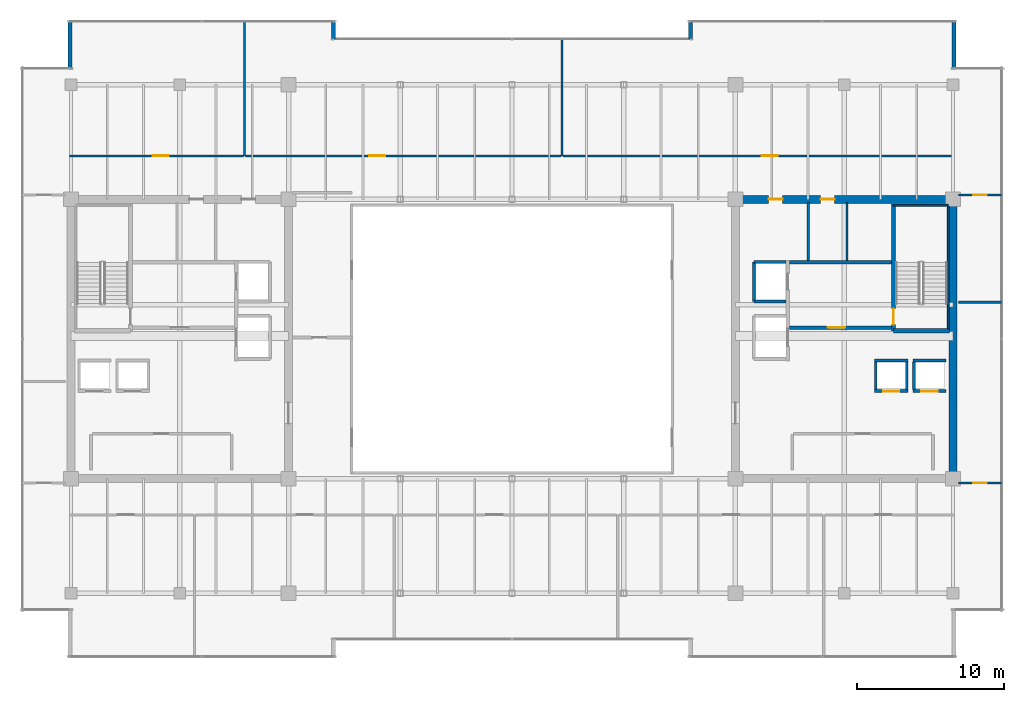
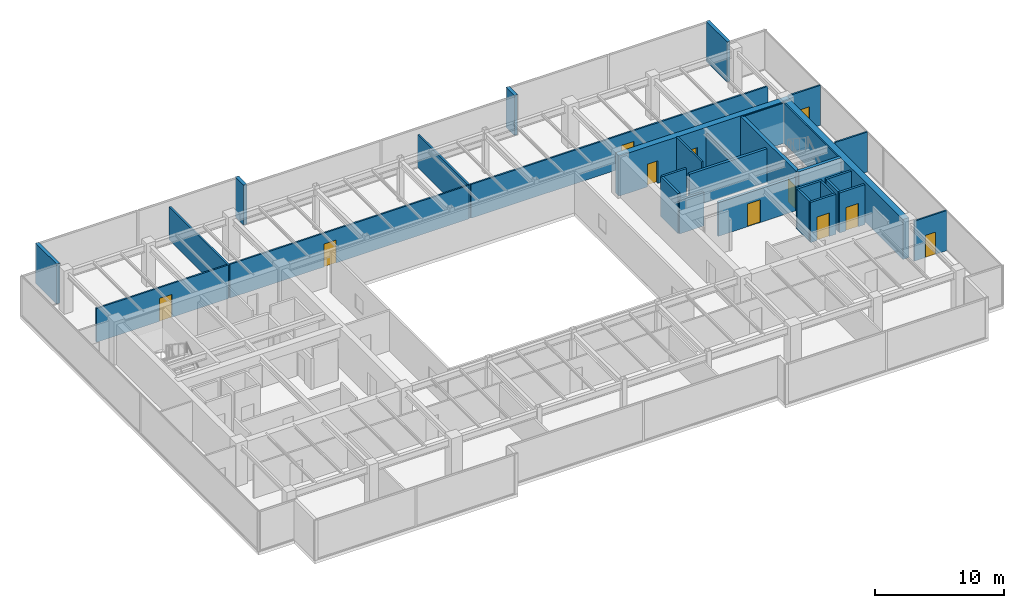
# One storey, part 30 of 33: 32 walls, 11 doors, 11 openings.
"""IFC4 building model written with IfcOpenShell, lengths in metres."""

from ifc_helpers import new_model, si_unit, direction, frame, frame_2d, origin, place, context, subcontext, project, spatial, rectangle, extrude, source, transform, mapped, material, layer, layer_set, type_object, type_shapes, element, fill, save


model = new_model("IFC4")

# Units and contexts
model_context = context("Model", 3, precision=1e-05, world=origin(), true_north=direction((0.0, 1.0)))
body_context = subcontext(model_context, "Body", "Model", "MODEL_VIEW")
ifc_project = project(units=[si_unit("LENGTHUNIT", "METRE"), si_unit("AREAUNIT", "SQUARE_METRE"), si_unit("VOLUMEUNIT", "CUBIC_METRE"), si_unit("PLANEANGLEUNIT", "RADIAN"), si_unit("MASSUNIT", "GRAM", prefix="KILO")], contexts=[model_context])

# Site, building, storey
site_placement = place(None, origin())
site = spatial("IfcSite", under=ifc_project, at=site_placement, CompositionType="ELEMENT")
building_placement = place(site_placement, origin())
building = spatial("IfcBuilding", under=site, at=building_placement, Name="Haelvirn Gate Laboratories", CompositionType="ELEMENT")
storey_placement = place(building_placement, frame((0.0, 0.0, 279.300048828125)))
storey = spatial("IfcBuildingStorey", under=building, at=storey_placement, Name="L67", CompositionType="ELEMENT", Elevation=279.300048828125)

# Walls
ifc_material_1 = material(Name="Thermally-broken bronze aluminium rainscreen & mineral wool", Category="aluminium")
ifc_layer_1 = layer(ifc_material_1, 0.280029296875, Name="EW-TERR-280")
ifc_layer_set_1 = layer_set([ifc_layer_1], Name="Thermally-broken bronze aluminium rainscreen & mineral wool")
wall_type_1 = type_object("IfcWallType", Name="EW-TERR-280", PredefinedType="STANDARD", material=ifc_layer_set_1)
wall_1_placement = place(storey_placement, frame((67.4599609375, 42.7119140625, 0.0), z_axis=(0.0, 0.0, 1.0), x_axis=(0.0, 1.0, 0.0)))
element("IfcWall", 1, at=wall_1_placement, inside=storey, type_object=wall_type_1, Name="L67 Atrium Recess Bronze Return Wall 09", PredefinedType="STANDARD", context=body_context, shape_type="SweptSolid", body=[
    extrude(rectangle(XDim=3.2880859375, YDim=0.280029296875, at=frame_2d((1.64404296875, 0.0))), origin(), (0.0, 0.0, 1.0), 3.800048828125),
])
for number, where, z_axis, x_axis, name in (
    (2, (49.5400390625, 46.0, 0.0), (0.0, 0.0, 1.0), (0.0, -1.0, 0.0), "L67 Atrium Recess Bronze Return Wall 11"),
    (3, (25.260009765625, 44.70703125, 0.0), (0.0, 0.0, 1.0), (0.0, 1.0, 0.0), "L67 Atrium Recess Bronze Return Wall 13"),
):
    element("IfcWall", number, at=place(storey_placement, frame(where, z_axis=z_axis, x_axis=x_axis)), inside=storey, type_object=wall_type_1, Name=name, PredefinedType="STANDARD", context=body_context, shape_type="SweptSolid", body=[
        extrude(rectangle(XDim=1.29296875, YDim=0.280029296875, at=frame_2d((0.646484375, 0.0))), origin(), (0.0, 0.0, 1.0), 3.800048828125),
    ])
wall_2_placement = place(storey_placement, frame((7.340087890625, 46.0, 0.0), z_axis=(0.0, 0.0, 1.0), x_axis=(0.0, -1.0, 0.0)))
element("IfcWall", 4, at=wall_2_placement, inside=storey, type_object=wall_type_1, Name="L67 Atrium Recess Bronze Return Wall 15", PredefinedType="STANDARD", context=body_context, shape_type="SweptSolid", body=[
    extrude(rectangle(XDim=3.2880859375, YDim=0.280029296875, at=frame_2d((1.64404296875, 0.0))), origin(), (0.0, 0.0, 1.0), 3.800048828125),
])
ifc_material_2 = material(Name="Double-layer acoustic gypsum laboratory partition", Category="gypsum")
ifc_layer_2 = layer(ifc_material_2, 0.159912109375, Name="IW-ACOUST-160")
ifc_layer_set_2 = layer_set([ifc_layer_2], Name="Double-layer acoustic gypsum laboratory partition")
wall_type_2 = type_object("IfcWallType", Name="IW-ACOUST-160", PredefinedType="PARTITIONING", material=ifc_layer_set_2)
wall_3_placement = place(storey_placement, frame((19.199951171875, 36.760009765625, 0.0), z_axis=(0.0, 0.0, 1.0), x_axis=(0.0, 1.0, 0.0)))
element("IfcWall", 5, at=wall_3_placement, inside=storey, type_object=wall_type_2, Name="L67 Interior Wall IW-L67-NDIV-01", PredefinedType="PARTITIONING", context=body_context, shape_type="SweptSolid", body=[
    extrude(rectangle(XDim=9.1298828125, YDim=0.159912109375, at=frame_2d((4.56494140625, 0.0))), origin(), (0.0, 0.0, 1.0), 3.135009765625),
])
wall_4_placement = place(storey_placement, frame((40.800048828125, 36.760009765625, 0.0), z_axis=(0.0, 0.0, 1.0), x_axis=(0.0, 1.0, 0.0)))
element("IfcWall", 6, at=wall_4_placement, inside=storey, type_object=wall_type_2, Name="L67 Interior Wall IW-L67-NDIV-02", PredefinedType="PARTITIONING", context=body_context, shape_type="SweptSolid", body=[
    extrude(rectangle(XDim=7.929931640625, YDim=0.159912109375, at=frame_2d((3.96484375, 0.0))), origin(), (0.0, 0.0, 1.0), 3.135009765625),
])

# Wall, opening, door
ifc_material_3 = material(Name="Acoustic mineral-wool gypsum board partition", Category="gypsum")
ifc_layer_3 = layer(ifc_material_3, 0.139892578125, Name="IW-PART-140")
ifc_layer_set_3 = layer_set([ifc_layer_3], Name="Acoustic mineral-wool gypsum board partition")
wall_type_3 = type_object("IfcWallType", Name="IW-PART-140", PredefinedType="PARTITIONING", material=ifc_layer_set_3)
wall_5_placement = place(storey_placement, frame((7.31005859375, 36.760009765625, 0.0), z_axis=(0.0, 0.0, 1.0), x_axis=(1.0, 0.0, 0.0)))
wall_5 = element("IfcWall", 7, at=wall_5_placement, inside=storey, type_object=wall_type_3, Name="L67 Interior Wall IW-L67-NCORR-01", PredefinedType="PARTITIONING", context=body_context, shape_type="SweptSolid", body=[
    extrude(rectangle(XDim=11.81005859375, YDim=0.139892578125, at=frame_2d((5.905029296875, 0.0))), origin(), (0.0, 0.0, 1.0), 3.197021484375),
])
opening_1_placement = place(wall_5_placement, frame((5.6552734375, 0.0, 0.0)))
opening_1 = element("IfcOpeningElement", 8, at=opening_1_placement, cuts=wall_5, Name="Opening D1", PredefinedType="OPENING", context=body_context, shape_type="SweptSolid", body=[
    extrude(rectangle(XDim=1.10009765625, YDim=2.179931640625, at=frame_2d((0.550048828125, 1.08984375))), frame((0.0, 0.080078125, 0.0), z_axis=(0.0, -1.0, 0.0), x_axis=(1.0, 0.0, 0.0)), (0.0, 0.0, 1.0), 0.159912109375),
])
ifc_material_4 = material(Name="Vision-panel acoustic solid-core timber lab door", Category="wood")
door_type_1 = type_object("IfcDoorType", Name="DR-LAB-1100", OperationType="NOTDEFINED", PredefinedType="DOOR", material=ifc_material_4)
shared_shape_1 = source(origin(), body_context, "Body", "SweptSolid", [
    extrude(rectangle(XDim=1.10009765625, YDim=2.179931640625, at=frame_2d((0.550048828125, 1.08984375))), frame((0.0, 0.02490234375, 0.0), z_axis=(0.0, -1.0, 0.0), x_axis=(1.0, 0.0, 0.0)), (0.0, 0.0, 1.0), 0.050048828125),
])
type_shapes(door_type_1, [shared_shape_1])
door_1_placement = place(opening_1_placement, origin())
door_1 = element("IfcDoor", 9, at=door_1_placement, inside=storey, type_object=door_type_1, Name="L67 Researcher Quiet Study Door N1", OperationType="SINGLE_SWING_LEFT", OverallHeight=2.179931640625, OverallWidth=1.10009765625, PredefinedType="DOOR", context=body_context, shape_type="MappedRepresentation", body=[
    mapped(shared_shape_1, transform((0.0, 0.0, 0.0), scale=1.0)),
])
fill(opening_1, door_1)

wall_6_placement = place(storey_placement, frame((19.280029296875, 36.760009765625, 0.0), z_axis=(0.0, 0.0, 1.0), x_axis=(1.0, 0.0, 0.0)))
wall_6 = element("IfcWall", 10, at=wall_6_placement, inside=storey, type_object=wall_type_3, Name="L67 Interior Wall IW-L67-NCORR-02", PredefinedType="PARTITIONING", context=body_context, shape_type="SweptSolid", body=[
    extrude(rectangle(XDim=21.43994140625, YDim=0.139892578125, at=frame_2d((10.719970703125, 0.0))), origin(), (0.0, 0.0, 1.0), 3.197021484375),
])
opening_2_placement = place(wall_6_placement, frame((8.40234375, 0.0, 0.0)))
opening_2 = element("IfcOpeningElement", 11, at=opening_2_placement, cuts=wall_6, Name="Opening D1", PredefinedType="OPENING", context=body_context, shape_type="SweptSolid", body=[
    extrude(rectangle(XDim=1.10009765625, YDim=2.179931640625, at=frame_2d((0.550048828125, 1.08984375))), frame((0.0, 0.080078125, 0.0), z_axis=(0.0, -1.0, 0.0), x_axis=(1.0, 0.0, 0.0)), (0.0, 0.0, 1.0), 0.159912109375),
])
door_2_placement = place(opening_2_placement, origin())
door_2 = element("IfcDoor", 12, at=door_2_placement, inside=storey, type_object=door_type_1, Name="L67 Computational Write-Up Office Door N2", OperationType="SINGLE_SWING_RIGHT", OverallHeight=2.179931640625, OverallWidth=1.10009765625, PredefinedType="DOOR", context=body_context, shape_type="MappedRepresentation", body=[
    mapped(shared_shape_1, transform((0.0, 0.0, 0.0), scale=1.0)),
])
fill(opening_2, door_2)

wall_7_placement = place(storey_placement, frame((40.8798828125, 36.760009765625, 0.0), z_axis=(0.0, 0.0, 1.0), x_axis=(1.0, 0.0, 0.0)))
wall_7 = element("IfcWall", 13, at=wall_7_placement, inside=storey, type_object=wall_type_3, Name="L67 Interior Wall IW-L67-NCORR-03", PredefinedType="PARTITIONING", context=body_context, shape_type="SweptSolid", body=[
    extrude(rectangle(XDim=26.610107421875, YDim=0.139892578125, at=frame_2d((13.30517578125, 0.0))), origin(), (0.0, 0.0, 1.0), 3.197021484375),
])
opening_3_placement = place(wall_7_placement, frame((13.499267578125, 0.0, 0.0)))
opening_3 = element("IfcOpeningElement", 14, at=opening_3_placement, cuts=wall_7, Name="Opening D1", PredefinedType="OPENING", context=body_context, shape_type="SweptSolid", body=[
    extrude(rectangle(XDim=1.10009765625, YDim=2.179931640625, at=frame_2d((0.550048828125, 1.08984375))), frame((0.0, 0.080078125, 0.0), z_axis=(0.0, -1.0, 0.0), x_axis=(1.0, 0.0, 0.0)), (0.0, 0.0, 1.0), 0.159912109375),
])
door_3_placement = place(opening_3_placement, origin())
door_3 = element("IfcDoor", 15, at=door_3_placement, inside=storey, type_object=door_type_1, Name="L67 Bioinformatics Dry-Lab Workspace Door N3", OperationType="SINGLE_SWING_LEFT", OverallHeight=2.179931640625, OverallWidth=1.10009765625, PredefinedType="DOOR", context=body_context, shape_type="MappedRepresentation", body=[
    mapped(shared_shape_1, transform((0.0, 0.0, 0.0), scale=1.0)),
])
fill(opening_3, door_3)

# Wall
wall_8_placement = place(storey_placement, frame((67.780029296875, 26.800048828125, 0.0), z_axis=(0.0, 0.0, 1.0), x_axis=(1.0, 0.0, 0.0)))
element("IfcWall", 16, at=wall_8_placement, inside=storey, type_object=wall_type_3, Name="L67 Interior Wall IW-L67-EZ3-MID", PredefinedType="PARTITIONING", context=body_context, shape_type="SweptSolid", body=[
    extrude(rectangle(XDim=2.909912109375, YDim=0.139892578125, at=frame_2d((1.455078125, 0.0))), origin(), (0.0, 0.0, 1.0), 3.800048828125),
])

# Wall, opening, door
wall_9_placement = place(storey_placement, frame((67.780029296875, 14.5048828125, 0.0), z_axis=(0.0, 0.0, 1.0), x_axis=(1.0, 0.0, 0.0)))
wall_9 = element("IfcWall", 17, at=wall_9_placement, inside=storey, type_object=wall_type_3, Name="L67 Interior Wall IW-L67-EZ3-ENT-S", PredefinedType="PARTITIONING", context=body_context, shape_type="SweptSolid", body=[
    extrude(rectangle(XDim=2.909912109375, YDim=0.139892578125, at=frame_2d((1.455078125, 0.0))), origin(), (0.0, 0.0, 1.0), 3.800048828125),
])
opening_4_placement = place(wall_9_placement, frame((1.0048828125, 0.0, 0.0)))
opening_4 = element("IfcOpeningElement", 18, at=opening_4_placement, cuts=wall_9, Name="Opening D4", PredefinedType="OPENING", context=body_context, shape_type="SweptSolid", body=[
    extrude(rectangle(XDim=0.89990234375, YDim=2.10009765625, at=frame_2d((0.449951171875, 1.050048828125))), frame((0.0, 0.080078125, 0.0), z_axis=(0.0, -1.0, 0.0), x_axis=(1.0, 0.0, 0.0)), (0.0, 0.0, 1.0), 0.159912109375),
])
ifc_material_5 = material(Name="Glazed aluminium-framed write-up door", Category="aluminium")
door_type_2 = type_object("IfcDoorType", Name="DR-OFF-900", OperationType="NOTDEFINED", PredefinedType="DOOR", material=ifc_material_5)
shared_shape_2 = source(origin(), body_context, "Body", "SweptSolid", [
    extrude(rectangle(XDim=0.89990234375, YDim=2.10009765625, at=frame_2d((0.449951171875, 1.050048828125))), frame((0.0, 0.02490234375, 0.0), z_axis=(0.0, -1.0, 0.0), x_axis=(1.0, 0.0, 0.0)), (0.0, 0.0, 1.0), 0.050048828125),
])
type_shapes(door_type_2, [shared_shape_2])
door_4_placement = place(opening_4_placement, origin())
door_4 = element("IfcDoor", 19, at=door_4_placement, inside=storey, type_object=door_type_2, Name="L67 Genomics Assay Laboratory Door E-S", OperationType="SINGLE_SWING_LEFT", OverallHeight=2.10009765625, OverallWidth=0.89990234375, PredefinedType="DOOR", context=body_context, shape_type="MappedRepresentation", body=[
    mapped(shared_shape_2, transform((0.0, 0.0, 0.0), scale=1.0)),
])
fill(opening_4, door_4)

wall_10_placement = place(storey_placement, frame((67.780029296875, 34.094970703125, 0.0), z_axis=(0.0, 0.0, 1.0), x_axis=(1.0, 0.0, 0.0)))
wall_10 = element("IfcWall", 20, at=wall_10_placement, inside=storey, type_object=wall_type_3, Name="L67 Interior Wall IW-L67-EZ3-ENT-N", PredefinedType="PARTITIONING", context=body_context, shape_type="SweptSolid", body=[
    extrude(rectangle(XDim=2.909912109375, YDim=0.139892578125, at=frame_2d((1.455078125, 0.0))), origin(), (0.0, 0.0, 1.0), 3.800048828125),
])
opening_5_placement = place(wall_10_placement, frame((1.0048828125, 0.0, 0.0)))
opening_5 = element("IfcOpeningElement", 21, at=opening_5_placement, cuts=wall_10, Name="Opening D4", PredefinedType="OPENING", context=body_context, shape_type="SweptSolid", body=[
    extrude(rectangle(XDim=0.89990234375, YDim=2.10009765625, at=frame_2d((0.449951171875, 1.050048828125))), frame((0.0, 0.080078125, 0.0), z_axis=(0.0, -1.0, 0.0), x_axis=(1.0, 0.0, 0.0)), (0.0, 0.0, 1.0), 0.159912109375),
])
door_5_placement = place(opening_5_placement, origin())
door_5 = element("IfcDoor", 22, at=door_5_placement, inside=storey, type_object=door_type_2, Name="L67 Chemical Synthesis Laboratory Door E-N", OperationType="SINGLE_SWING_RIGHT", OverallHeight=2.10009765625, OverallWidth=0.89990234375, PredefinedType="DOOR", context=body_context, shape_type="MappedRepresentation", body=[
    mapped(shared_shape_2, transform((0.0, 0.0, 0.0), scale=1.0)),
])
fill(opening_5, door_5)

# Walls
ifc_material_6 = material(Name="Cement-board restroom plumbing chase wall", Category="gypsum")
ifc_layer_4 = layer(ifc_material_6, 0.155029296875, Name="IW-PLUMB-160")
ifc_layer_set_4 = layer_set([ifc_layer_4], Name="Cement-board restroom plumbing chase wall")
wall_type_4 = type_object("IfcWallType", Name="IW-PLUMB-160", PredefinedType="PLUMBINGWALL", material=ifc_layer_set_4)
wall_11_placement = place(storey_placement, frame((60.18994140625, 29.64990234375, 0.0), z_axis=(0.0, 0.0, 1.0), x_axis=(0.0, 1.0, 0.0)))
element("IfcWall", 23, at=wall_11_placement, inside=storey, type_object=wall_type_4, Name="L67 Interior Wall IW-L67-E-CDIV-0", PredefinedType="PLUMBINGWALL", context=body_context, shape_type="SweptSolid", body=[
    extrude(rectangle(XDim=3.93017578125, YDim=0.155029296875, at=frame_2d((1.965087890625, 0.0))), origin(), (0.0, 0.0, 1.0), 3.197021484375),
])
wall_12_placement = place(storey_placement, frame((57.56005859375, 29.64990234375, 0.0), z_axis=(0.0, 0.0, 1.0), x_axis=(0.0, 1.0, 0.0)))
element("IfcWall", 24, at=wall_12_placement, inside=storey, type_object=wall_type_4, Name="L67 Interior Wall IW-L67-E-CDIV-1", PredefinedType="PLUMBINGWALL", context=body_context, shape_type="SweptSolid", body=[
    extrude(rectangle(XDim=3.93017578125, YDim=0.155029296875, at=frame_2d((1.965087890625, 0.0))), origin(), (0.0, 0.0, 1.0), 3.800048828125),
])
ifc_material_7 = material(Name="Concrete C40/50", Category="concrete")
ifc_layer_5 = layer(ifc_material_7, 0.179931640625, Name="IW-SHAFT-180")
ifc_layer_set_5 = layer_set([ifc_layer_5], Name="Concrete C40/50")
wall_type_5 = type_object("IfcWallType", Name="IW-SHAFT-180", PredefinedType="SOLIDWALL", material=ifc_layer_set_5)
for number, where, z_axis, x_axis, name in (
    (25, (64.75, 20.85009765625, 0.0), (0.0, 0.0, 1.0), (0.0, 1.0, 0.0), "L67 Interior Wall IW-L67-PL11-SD"),
    (26, (62.14990234375, 20.85009765625, 0.0), (0.0, 0.0, 1.0), (0.0, 1.0, 0.0), "L67 Interior Wall IW-L67-PL12-SD"),
    (27, (64.25, 20.85009765625, 0.0), (0.0, 0.0, 1.0), (0.0, 1.0, 0.0), "L67 Interior Wall IW-L67-PL12-SDE"),
):
    element("IfcWall", number, at=place(storey_placement, frame(where, z_axis=z_axis, x_axis=x_axis)), inside=storey, type_object=wall_type_5, Name=name, PredefinedType="SOLIDWALL", context=body_context, shape_type="SweptSolid", body=[
        extrude(rectangle(XDim=1.89990234375, YDim=0.179931640625, at=frame_2d((0.949951171875, 0.0))), origin(), (0.0, 0.0, 1.0), 3.800048828125),
    ])

# Wall, opening, door
ifc_layer_6 = layer(ifc_material_7, 0.199951171875, Name="IW-SHAFT-200")
ifc_layer_set_6 = layer_set([ifc_layer_6], Name="Concrete C40/50")
wall_type_6 = type_object("IfcWallType", Name="IW-SHAFT-200", PredefinedType="SOLIDWALL", material=ifc_layer_set_6)
wall_13_placement = place(storey_placement, frame((64.669921875, 20.75, 0.0), z_axis=(0.0, 0.0, 1.0), x_axis=(1.0, 0.0, 0.0)))
wall_13 = element("IfcWall", 28, at=wall_13_placement, inside=storey, type_object=wall_type_6, Name="L67 Interior Wall IW-L67-PL11-FR", PredefinedType="SOLIDWALL", context=body_context, shape_type="SweptSolid", body=[
    extrude(rectangle(XDim=2.260009765625, YDim=0.199951171875, at=frame_2d((1.1298828125, 0.0))), origin(), (0.0, 0.0, 1.0), 3.800048828125),
])
opening_6_placement = place(wall_13_placement, frame((0.580078125, 0.0, 0.0)))
opening_6 = element("IfcOpeningElement", 29, at=opening_6_placement, cuts=wall_13, Name="Opening LD2", PredefinedType="OPENING", context=body_context, shape_type="SweptSolid", body=[
    extrude(rectangle(XDim=1.10009765625, YDim=2.219970703125, at=frame_2d((0.550048828125, 1.10986328125))), frame((0.0, 0.10986328125, 0.0), z_axis=(0.0, -1.0, 0.0), x_axis=(1.0, 0.0, 0.0)), (0.0, 0.0, 1.0), 0.219970703125),
])
ifc_material_8 = material(Name="Bronze stainless 316L sliding lift landing door")
door_type_3 = type_object("IfcDoorType", Name="DR-LD-1100", OperationType="NOTDEFINED", PredefinedType="USERDEFINED", material=ifc_material_8)
shared_shape_3 = source(origin(), body_context, "Body", "SweptSolid", [
    extrude(rectangle(XDim=1.10009765625, YDim=2.219970703125, at=frame_2d((0.550048828125, 1.10986328125))), frame((0.0, 0.02490234375, 0.0), z_axis=(0.0, -1.0, 0.0), x_axis=(1.0, 0.0, 0.0)), (0.0, 0.0, 1.0), 0.050048828125),
])
type_shapes(door_type_3, [shared_shape_3])
door_6_placement = place(opening_6_placement, origin())
door_6 = element("IfcDoor", 30, at=door_6_placement, inside=storey, type_object=door_type_3, Name="L67 Passenger Lift PL11 Landing Door", ObjectType="LANDING_DOOR", OperationType="SLIDING_TO_LEFT", OverallHeight=2.219970703125, OverallWidth=1.10009765625, PredefinedType="USERDEFINED", context=body_context, shape_type="MappedRepresentation", body=[
    mapped(shared_shape_3, transform((0.0, 0.0, 0.0), scale=1.0)),
])
fill(opening_6, door_6)

# Wall
wall_14_placement = place(storey_placement, frame((64.669921875, 22.85009765625, 0.0), z_axis=(0.0, 0.0, 1.0), x_axis=(1.0, 0.0, 0.0)))
element("IfcWall", 31, at=wall_14_placement, inside=storey, type_object=wall_type_6, Name="L67 Interior Wall IW-L67-PL11-BK", PredefinedType="SOLIDWALL", context=body_context, shape_type="SweptSolid", body=[
    extrude(rectangle(XDim=2.260009765625, YDim=0.199951171875, at=frame_2d((1.1298828125, 0.0))), origin(), (0.0, 0.0, 1.0), 3.800048828125),
])

# Wall, opening, door
wall_15_placement = place(storey_placement, frame((62.070068359375, 20.75, 0.0), z_axis=(0.0, 0.0, 1.0), x_axis=(1.0, 0.0, 0.0)))
wall_15 = element("IfcWall", 32, at=wall_15_placement, inside=storey, type_object=wall_type_6, Name="L67 Interior Wall IW-L67-PL12-FR", PredefinedType="SOLIDWALL", context=body_context, shape_type="SweptSolid", body=[
    extrude(rectangle(XDim=2.260009765625, YDim=0.199951171875, at=frame_2d((1.1298828125, 0.0))), origin(), (0.0, 0.0, 1.0), 3.800048828125),
])
opening_7_placement = place(wall_15_placement, frame((0.580078125, 0.0, 0.0)))
opening_7 = element("IfcOpeningElement", 33, at=opening_7_placement, cuts=wall_15, Name="Opening LD2", PredefinedType="OPENING", context=body_context, shape_type="SweptSolid", body=[
    extrude(rectangle(XDim=1.10009765625, YDim=2.219970703125, at=frame_2d((0.550048828125, 1.10986328125))), frame((0.0, 0.10986328125, 0.0), z_axis=(0.0, -1.0, 0.0), x_axis=(1.0, 0.0, 0.0)), (0.0, 0.0, 1.0), 0.219970703125),
])
door_7_placement = place(opening_7_placement, origin())
door_7 = element("IfcDoor", 34, at=door_7_placement, inside=storey, type_object=door_type_3, Name="L67 Passenger Lift PL12 Landing Door", ObjectType="LANDING_DOOR", OperationType="SLIDING_TO_RIGHT", OverallHeight=2.219970703125, OverallWidth=1.10009765625, PredefinedType="USERDEFINED", context=body_context, shape_type="MappedRepresentation", body=[
    mapped(shared_shape_3, transform((0.0, 0.0, 0.0), scale=1.0)),
])
fill(opening_7, door_7)

# Walls
wall_16_placement = place(storey_placement, frame((62.070068359375, 22.85009765625, 0.0), z_axis=(0.0, 0.0, 1.0), x_axis=(1.0, 0.0, 0.0)))
element("IfcWall", 35, at=wall_16_placement, inside=storey, type_object=wall_type_6, Name="L67 Interior Wall IW-L67-PL12-BK", PredefinedType="SOLIDWALL", context=body_context, shape_type="SweptSolid", body=[
    extrude(rectangle(XDim=2.260009765625, YDim=0.199951171875, at=frame_2d((1.1298828125, 0.0))), origin(), (0.0, 0.0, 1.0), 3.800048828125),
])
wall_17_placement = place(storey_placement, frame((53.85009765625, 26.85009765625, 0.0), z_axis=(0.0, 0.0, 1.0), x_axis=(0.0, 1.0, 0.0)))
element("IfcWall", 36, at=wall_17_placement, inside=storey, type_object=wall_type_6, Name="L67 Interior Wall IW-L67-FL2-BK", PredefinedType="SOLIDWALL", context=body_context, shape_type="SweptSolid", body=[
    extrude(rectangle(XDim=2.699951171875, YDim=0.199951171875, at=frame_2d((1.35009765625, 0.0))), origin(), (0.0, 0.0, 1.0), 3.800048828125),
])
wall_18_placement = place(storey_placement, frame((53.85009765625, 29.550048828125, 0.0), z_axis=(0.0, 0.0, 1.0), x_axis=(1.0, 0.0, 0.0)))
element("IfcWall", 37, at=wall_18_placement, inside=storey, type_object=wall_type_6, Name="L67 Interior Wall IW-L67-FL2-N", PredefinedType="SOLIDWALL", context=body_context, shape_type="SweptSolid", body=[
    extrude(rectangle(XDim=2.18994140625, YDim=0.199951171875, at=frame_2d((1.094970703125, 0.0))), origin(), (0.0, 0.0, 1.0), 3.800048828125),
])
wall_19_placement = place(storey_placement, frame((53.85009765625, 26.85009765625, 0.0), z_axis=(0.0, 0.0, 1.0), x_axis=(1.0, 0.0, 0.0)))
element("IfcWall", 38, at=wall_19_placement, inside=storey, type_object=wall_type_6, Name="L67 Interior Wall IW-L67-FL2-S", PredefinedType="SOLIDWALL", context=body_context, shape_type="SweptSolid", body=[
    extrude(rectangle(XDim=2.18994140625, YDim=0.199951171875, at=frame_2d((1.094970703125, 0.0))), origin(), (0.0, 0.0, 1.0), 3.197021484375),
])

# Wall, opening, door
ifc_layer_7 = layer(ifc_material_7, 0.239990234375, Name="IW-SHAFT-240")
ifc_layer_set_7 = layer_set([ifc_layer_7], Name="Concrete C40/50")
wall_type_7 = type_object("IfcWallType", Name="IW-SHAFT-240", PredefinedType="SOLIDWALL", material=ifc_layer_set_7)
wall_20_placement = place(storey_placement, frame((56.280029296875, 25.080078125, 0.0), z_axis=(0.0, 0.0, 1.0), x_axis=(1.0, 0.0, 0.0)))
wall_20 = element("IfcWall", 39, at=wall_20_placement, inside=storey, type_object=wall_type_7, Name="L67 Interior Wall IW-L67-E-FF-S", PredefinedType="SOLIDWALL", context=body_context, shape_type="SweptSolid", body=[
    extrude(rectangle(XDim=6.919921875, YDim=0.239990234375, at=frame_2d((3.4599609375, 0.0))), origin(), (0.0, 0.0, 1.0), 3.197021484375),
])
opening_8_placement = place(wall_20_placement, frame((2.60009765625, 0.0, 0.0)))
opening_8 = element("IfcOpeningElement", 40, at=opening_8_placement, cuts=wall_20, Name="Opening FD2", PredefinedType="OPENING", context=body_context, shape_type="SweptSolid", body=[
    extrude(rectangle(XDim=1.199951171875, YDim=2.159912109375, at=frame_2d((0.60009765625, 1.080078125))), frame((0.0, 0.1298828125, 0.0), z_axis=(0.0, -1.0, 0.0), x_axis=(1.0, 0.0, 0.0)), (0.0, 0.0, 1.0), 0.260009765625),
])
ifc_material_9 = material(Name="Fire-rated steel SM355 compartment door", Category="steel")
door_type_4 = type_object("IfcDoorType", Name="DR-FD-1200", OperationType="NOTDEFINED", PredefinedType="DOOR", material=ifc_material_9)
shared_shape_4 = source(origin(), body_context, "Body", "SweptSolid", [
    extrude(rectangle(XDim=1.199951171875, YDim=2.159912109375, at=frame_2d((0.60009765625, 1.080078125))), frame((0.0, 0.02490234375, 0.0), z_axis=(0.0, -1.0, 0.0), x_axis=(1.0, 0.0, 0.0)), (0.0, 0.0, 1.0), 0.050048828125),
])
type_shapes(door_type_4, [shared_shape_4])
door_8_placement = place(opening_8_placement, origin())
door_8 = element("IfcDoor", 41, at=door_8_placement, inside=storey, type_object=door_type_4, Name="L67 East Firefighting Lobby Door", OperationType="SINGLE_SWING_LEFT", OverallHeight=2.159912109375, OverallWidth=1.199951171875, PredefinedType="DOOR", context=body_context, shape_type="MappedRepresentation", body=[
    mapped(shared_shape_4, transform((0.0, 0.0, 0.0), scale=1.0)),
])
fill(opening_8, door_8)

# Wall
wall_21_placement = place(storey_placement, frame((56.280029296875, 29.52001953125, 0.0), z_axis=(0.0, 0.0, 1.0), x_axis=(1.0, 0.0, 0.0)))
element("IfcWall", 42, at=wall_21_placement, inside=storey, type_object=wall_type_7, Name="L67 Interior Wall IW-L67-E-FF-N", PredefinedType="SOLIDWALL", context=body_context, shape_type="SweptSolid", body=[
    extrude(rectangle(XDim=6.919921875, YDim=0.239990234375, at=frame_2d((3.4599609375, 0.0))), origin(), (0.0, 0.0, 1.0), 3.197021484375),
])

# Wall, openings, doors
ifc_material_10 = material(Name="Concrete C50/60", Category="concrete")
ifc_layer_8 = layer(ifc_material_10, 0.550048828125, Name="SW-CORE-550")
ifc_layer_set_8 = layer_set([ifc_layer_8], Name="Concrete C50/60")
wall_type_8 = type_object("IfcWallType", Name="SW-CORE-550", PredefinedType="SHEAR", material=ifc_layer_set_8)
wall_22_placement = place(storey_placement, frame((52.324951171875, 33.800048828125, 0.0), z_axis=(0.0, 0.0, 1.0), x_axis=(1.0, 0.0, 0.0)))
wall_22 = element("IfcWall", 43, at=wall_22_placement, inside=storey, type_object=wall_type_8, Name="L67 E Core Shear Wall N", PredefinedType="SHEAR", context=body_context, shape_type="SweptSolid", body=[
    extrude(rectangle(XDim=15.35009765625, YDim=0.550048828125, at=frame_2d((7.675048828125, 0.0))), origin(), (0.0, 0.0, 1.0), 3.800048828125),
])
opening_9_placement = place(wall_22_placement, frame((6.074951171875, 0.0, 0.0)))
opening_9 = element("IfcOpeningElement", 44, at=opening_9_placement, cuts=wall_22, Name="Opening FD4", PredefinedType="OPENING", context=body_context, shape_type="SweptSolid", body=[
    extrude(rectangle(XDim=0.949951171875, YDim=2.14990234375, at=frame_2d((0.47509765625, 1.074951171875))), frame((0.0, 0.28515625, 0.0), z_axis=(0.0, -1.0, 0.0), x_axis=(1.0, 0.0, 0.0)), (0.0, 0.0, 1.0), 0.570068359375),
])
opening_10_placement = place(wall_22_placement, frame((2.534912109375, 0.0, 0.0)))
opening_10 = element("IfcOpeningElement", 45, at=opening_10_placement, cuts=wall_22, Name="Opening FD4", PredefinedType="OPENING", context=body_context, shape_type="SweptSolid", body=[
    extrude(rectangle(XDim=0.949951171875, YDim=2.14990234375, at=frame_2d((0.47509765625, 1.074951171875))), frame((0.0, 0.28515625, 0.0), z_axis=(0.0, -1.0, 0.0), x_axis=(1.0, 0.0, 0.0)), (0.0, 0.0, 1.0), 0.570068359375),
])
ifc_material_11 = material(Name="Fire-rated steel SM355 core service door", Category="steel")
door_type_5 = type_object("IfcDoorType", Name="DR-FD-950", OperationType="NOTDEFINED", PredefinedType="DOOR", material=ifc_material_11)
shared_shape_5 = source(origin(), body_context, "Body", "SweptSolid", [
    extrude(rectangle(XDim=0.949951171875, YDim=2.14990234375, at=frame_2d((0.47509765625, 1.074951171875))), frame((0.0, 0.02490234375, 0.0), z_axis=(0.0, -1.0, 0.0), x_axis=(1.0, 0.0, 0.0)), (0.0, 0.0, 1.0), 0.050048828125),
])
type_shapes(door_type_5, [shared_shape_5])
door_9_placement = place(opening_9_placement, origin())
door_9 = element("IfcDoor", 46, at=door_9_placement, inside=storey, type_object=door_type_5, Name="L67 Accessible Restroom Fire Door", OperationType="SINGLE_SWING_RIGHT", OverallHeight=2.14990234375, OverallWidth=0.949951171875, PredefinedType="DOOR", context=body_context, shape_type="MappedRepresentation", body=[
    mapped(shared_shape_5, transform((0.0, 0.0, 0.0), scale=1.0)),
])
fill(opening_9, door_9)
door_10_placement = place(opening_10_placement, origin())
door_10 = element("IfcDoor", 47, at=door_10_placement, inside=storey, type_object=door_type_5, Name="L67 Staff Restroom Fire Door", OperationType="SINGLE_SWING_LEFT", OverallHeight=2.14990234375, OverallWidth=0.949951171875, PredefinedType="DOOR", context=body_context, shape_type="MappedRepresentation", body=[
    mapped(shared_shape_5, transform((0.0, 0.0, 0.0), scale=1.0)),
])
fill(opening_10, door_10)

# Walls
wall_23_placement = place(storey_placement, frame((67.39990234375, 15.074951171875, 0.0), z_axis=(0.0, 0.0, 1.0), x_axis=(0.0, 1.0, 0.0)))
element("IfcWall", 48, at=wall_23_placement, inside=storey, type_object=wall_type_8, Name="L67 E Core Shear Wall E", PredefinedType="SHEAR", context=body_context, shape_type="SweptSolid", body=[
    extrude(rectangle(XDim=18.449951171875, YDim=0.550048828125, at=frame_2d((9.22509765625, 0.0))), origin(), (0.0, 0.0, 1.0), 3.800048828125),
])
ifc_layer_9 = layer(ifc_material_10, 0.1201171875, Name="SW-LINER-120")
ifc_layer_set_9 = layer_set([ifc_layer_9], Name="Concrete C50/60")
wall_type_9 = type_object("IfcWallType", Name="SW-LINER-120", PredefinedType="SOLIDWALL", material=ifc_layer_set_9)
wall_24_placement = place(storey_placement, frame((63.35009765625, 33.39990234375, 0.0), z_axis=(0.0, 0.0, 1.0), x_axis=(1.0, 0.0, 0.0)))
element("IfcWall", 49, at=wall_24_placement, inside=storey, type_object=wall_type_9, Name="L67 E Core Stair Shaft Liner Wall N", PredefinedType="SOLIDWALL", context=body_context, shape_type="SweptSolid", body=[
    extrude(rectangle(XDim=3.719970703125, YDim=0.1201171875, at=frame_2d((1.85986328125, 0.0))), origin(), (0.0, 0.0, 1.0), 3.800048828125),
])
wall_25_placement = place(storey_placement, frame((67.070068359375, 25.0, 0.0), z_axis=(0.0, 0.0, 1.0), x_axis=(0.0, 1.0, 0.0)))
element("IfcWall", 50, at=wall_25_placement, inside=storey, type_object=wall_type_9, Name="L67 E Core Stair Shaft Liner Wall OUT", PredefinedType="SOLIDWALL", context=body_context, shape_type="SweptSolid", body=[
    extrude(rectangle(XDim=8.320068359375, YDim=0.1201171875, at=frame_2d((4.16015625, 0.0))), origin(), (0.0, 0.0, 1.0), 3.800048828125),
])

# Wall, opening, door
ifc_layer_10 = layer(ifc_material_10, 0.300048828125, Name="SW-STAIR-300")
ifc_layer_set_10 = layer_set([ifc_layer_10], Name="Concrete C50/60")
wall_type_10 = type_object("IfcWallType", Name="SW-STAIR-300", PredefinedType="SHEAR", material=ifc_layer_set_10)
wall_26_placement = place(storey_placement, frame((63.35009765625, 24.85009765625, 0.0), z_axis=(0.0, 0.0, 1.0), x_axis=(0.0, 1.0, 0.0)))
wall_26 = element("IfcWall", 51, at=wall_26_placement, inside=storey, type_object=wall_type_10, Name="L67 E Core Stair Shaft Structural Wall IN", PredefinedType="SHEAR", context=body_context, shape_type="SweptSolid", body=[
    extrude(rectangle(XDim=8.6298828125, YDim=0.300048828125, at=frame_2d((4.31494140625, 0.0))), origin(), (0.0, 0.0, 1.0), 3.800048828125),
])
opening_11_placement = place(wall_26_placement, frame((0.419921875, 0.0, 0.0)))
opening_11 = element("IfcOpeningElement", 52, at=opening_11_placement, cuts=wall_26, Name="Opening FD3", PredefinedType="OPENING", context=body_context, shape_type="SweptSolid", body=[
    extrude(rectangle(XDim=1.10009765625, YDim=2.14990234375, at=frame_2d((0.550048828125, 1.074951171875))), frame((0.0, 0.16015625, 0.0), z_axis=(0.0, -1.0, 0.0), x_axis=(1.0, 0.0, 0.0)), (0.0, 0.0, 1.0), 0.320068359375),
])
ifc_material_12 = material(Name="Fire-rated steel SM355 escape stair door", Category="steel")
door_type_6 = type_object("IfcDoorType", Name="DR-FD-1100", OperationType="NOTDEFINED", PredefinedType="DOOR", material=ifc_material_12)
shared_shape_6 = source(origin(), body_context, "Body", "SweptSolid", [
    extrude(rectangle(XDim=1.10009765625, YDim=2.14990234375, at=frame_2d((0.550048828125, 1.074951171875))), frame((0.0, 0.02490234375, 0.0), z_axis=(0.0, -1.0, 0.0), x_axis=(1.0, 0.0, 0.0)), (0.0, 0.0, 1.0), 0.050048828125),
])
type_shapes(door_type_6, [shared_shape_6])
door_11_placement = place(opening_11_placement, origin())
door_11 = element("IfcDoor", 53, at=door_11_placement, inside=storey, type_object=door_type_6, Name="L67 Escape Stair ST2 Fire Door", OperationType="SINGLE_SWING_RIGHT", OverallHeight=2.14990234375, OverallWidth=1.10009765625, PredefinedType="DOOR", context=body_context, shape_type="MappedRepresentation", body=[
    mapped(shared_shape_6, transform((0.0, 0.0, 0.0), scale=1.0)),
])
fill(opening_11, door_11)

# Wall
wall_27_placement = place(storey_placement, frame((63.35009765625, 24.85009765625, 0.0), z_axis=(0.0, 0.0, 1.0), x_axis=(1.0, 0.0, 0.0)))
element("IfcWall", 54, at=wall_27_placement, inside=storey, type_object=wall_type_10, Name="L67 E Core Stair Shaft Structural Wall S", PredefinedType="SHEAR", context=body_context, shape_type="SweptSolid", body=[
    extrude(rectangle(XDim=3.7998046875, YDim=0.300048828125, at=frame_2d((1.89990234375, 0.0))), origin(), (0.0, 0.0, 1.0), 3.800048828125),
])

save(model, "model.ifc")
